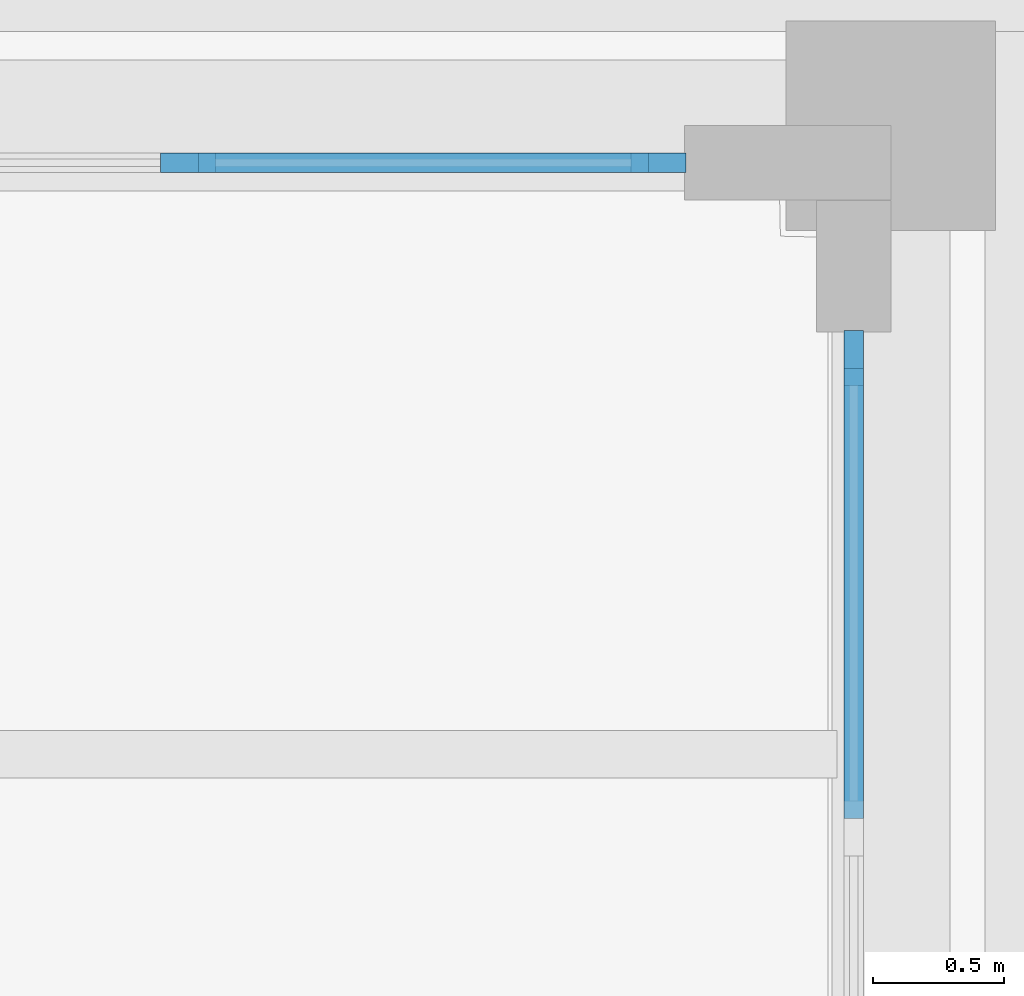
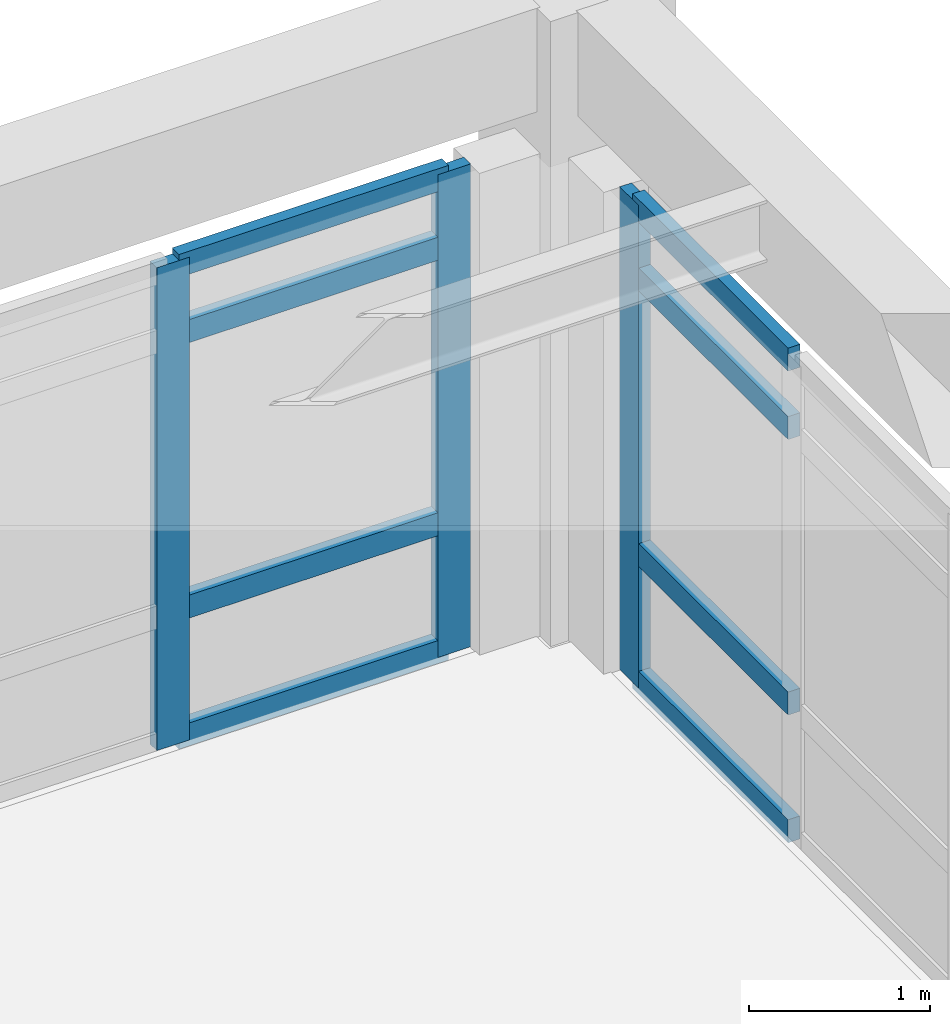
# One storey, part 63 of 98: 11 members, 2 elements without a shape of their own.
"""IFC4 building model written with IfcOpenShell, lengths in metres."""

from ifc_helpers import new_model, si_unit, direction, frame, origin, origin_2d, place, context, subcontext, project, spatial, rectangle, extrude, material, layer, layer_set, material_profile, profile_set, type_object, element, aggregate, save


model = new_model("IFC4")

# Units and contexts
model_context = context("Model", 3, precision=1e-05, world=origin(), true_north=direction((0.0, 1.0)))
body_context = subcontext(model_context, "Body", "Model", "MODEL_VIEW")
ifc_project = project(units=[si_unit("LENGTHUNIT", "METRE"), si_unit("AREAUNIT", "SQUARE_METRE"), si_unit("VOLUMEUNIT", "CUBIC_METRE"), si_unit("PLANEANGLEUNIT", "RADIAN"), si_unit("MASSUNIT", "GRAM", prefix="KILO")], contexts=[model_context])

# Site, building, storey
site_placement = place(None, origin())
site = spatial("IfcSite", under=ifc_project, at=site_placement, CompositionType="ELEMENT")
building_placement = place(site_placement, origin())
building = spatial("IfcBuilding", under=site, at=building_placement, Name="Solenvale Faculty of Natural Sciences", CompositionType="ELEMENT")
storey_placement = place(building_placement, frame((0.0, 0.0, 9.0)))
storey = spatial("IfcBuildingStorey", under=building, at=storey_placement, Name="L02", CompositionType="ELEMENT", Elevation=9.0)

# Curtain wall, member
ifc_material = material(Name="Anodised bronze aluminium", Category="aluminium")
ifc_layer = layer(ifc_material, 0.179931640625)
ifc_layer_set = layer_set([ifc_layer], Name="Anodised bronze aluminium")
curtain_wall_type = type_object("IfcCurtainWallType", Name="CW-TWR-MOD", PredefinedType="USERDEFINED", material=ifc_layer_set)
curtain_wall_1_placement = place(storey_placement, origin())
curtain_wall_1 = element("IfcCurtainWall", 1, at=curtain_wall_1_placement, inside=storey, type_object=curtain_wall_type, Name="L02 Curtain Wall CW-L02-P2-E3-B3", ObjectType="UNITISED CURTAIN WALL", PredefinedType="USERDEFINED")
ifc_material_profile_1 = material_profile(ifc_material, rectangle(XDim=0.074951171875, YDim=0.2099609375, at=origin_2d()), Name="ALU-MUL-75x210")
ifc_profile_set_1 = profile_set([ifc_material_profile_1], Name="Anodised bronze aluminium")
member_type_1 = type_object("IfcMemberType", Name="CWM-ALU-75x210", PredefinedType="MULLION", material=ifc_profile_set_1)
member_1_placement = place(storey_placement, frame((151.0576171875, 114.3125, 0.0), z_axis=(0.0, 0.0, 1.0), x_axis=(-1.0, 0.0, 0.0)))
member_1 = element("IfcMember", 2, at=member_1_placement, type_object=member_type_1, Name="CW-04 mullion 4", PredefinedType="MULLION", context=body_context, shape_type="SweptSolid", body=[
    extrude(rectangle(XDim=0.074951171875, YDim=0.2099609375, at=origin_2d()), origin(), (0.0, 0.0, 1.0), 3.260009765625),
])

# Curtain wall, members
curtain_wall_2_placement = place(storey_placement, origin())
curtain_wall_2 = element("IfcCurtainWall", 3, at=curtain_wall_2_placement, inside=storey, type_object=curtain_wall_type, Name="L02 Curtain Wall CW-L02-P2-E4-B1", ObjectType="UNITISED CURTAIN WALL", PredefinedType="USERDEFINED")
member_2_placement = place(storey_placement, frame((150.3125, 115.0576171875, 0.0), z_axis=(0.0, 0.0, 1.0), x_axis=(0.0, -1.0, 0.0)))
member_2 = element("IfcMember", 4, at=member_2_placement, type_object=member_type_1, Name="CW-04 mullion 1", PredefinedType="MULLION", context=body_context, shape_type="SweptSolid", body=[
    extrude(rectangle(XDim=0.074951171875, YDim=0.2099609375, at=origin_2d()), origin(), (0.0, 0.0, 1.0), 3.260009765625),
])
member_3_placement = place(storey_placement, frame((148.5166015625, 115.0576171875, 0.0), z_axis=(0.0, 0.0, 1.0), x_axis=(0.0, -1.0, 0.0)))
member_3 = element("IfcMember", 5, at=member_3_placement, type_object=member_type_1, Name="CW-04 mullion 2", PredefinedType="MULLION", context=body_context, shape_type="SweptSolid", body=[
    extrude(rectangle(XDim=0.074951171875, YDim=0.2099609375, at=origin_2d()), origin(), (0.0, 0.0, 1.0), 3.260009765625),
])

# Member
ifc_material_profile_2 = material_profile(ifc_material, rectangle(XDim=0.074951171875, YDim=0.155029296875, at=origin_2d()), Name="ALU-TRN-75x155")
ifc_profile_set_2 = profile_set([ifc_material_profile_2], Name="Anodised bronze aluminium")
member_type_2 = type_object("IfcMemberType", Name="CWT-ALU-75x155", PredefinedType="USERDEFINED", material=ifc_profile_set_2)
member_4_placement = place(storey_placement, frame((151.0576171875, 112.55419921875, 0.03759765625), z_axis=(0.0, 1.0, 0.0), x_axis=(-1.0, 0.0, 0.0)))
member_4 = element("IfcMember", 6, at=member_4_placement, type_object=member_type_2, Name="CW-04 transom 3.1", ObjectType="TRANSOM", PredefinedType="USERDEFINED", context=body_context, shape_type="SweptSolid", body=[
    extrude(rectangle(XDim=0.074951171875, YDim=0.155029296875, at=origin_2d()), origin(), (0.0, 0.0, 1.0), 1.720703125),
])

member_5_placement = place(storey_placement, frame((151.0576171875, 112.55419921875, 0.89990234375), z_axis=(0.0, 1.0, 0.0), x_axis=(-1.0, 0.0, 0.0)))
member_5 = element("IfcMember", 7, at=member_5_placement, type_object=member_type_2, Name="CW-04 transom 3.2", ObjectType="TRANSOM", PredefinedType="USERDEFINED", context=body_context, shape_type="SweptSolid", body=[
    extrude(rectangle(XDim=0.074951171875, YDim=0.155029296875, at=origin_2d()), origin(), (0.0, 0.0, 1.0), 1.720703125),
])

member_6_placement = place(storey_placement, frame((151.0576171875, 112.55419921875, 2.760009765625), z_axis=(0.0, 1.0, 0.0), x_axis=(-1.0, 0.0, 0.0)))
member_6 = element("IfcMember", 8, at=member_6_placement, type_object=member_type_2, Name="CW-04 transom 3.3", ObjectType="TRANSOM", PredefinedType="USERDEFINED", context=body_context, shape_type="SweptSolid", body=[
    extrude(rectangle(XDim=0.074951171875, YDim=0.155029296875, at=origin_2d()), origin(), (0.0, 0.0, 1.0), 1.720703125),
])

member_7_placement = place(storey_placement, frame((151.0576171875, 112.55419921875, 3.222412109375), z_axis=(0.0, 1.0, 0.0), x_axis=(-1.0, 0.0, 0.0)))
member_7 = element("IfcMember", 9, at=member_7_placement, type_object=member_type_2, Name="CW-04 transom 3.4", ObjectType="TRANSOM", PredefinedType="USERDEFINED", context=body_context, shape_type="SweptSolid", body=[
    extrude(rectangle(XDim=0.074951171875, YDim=0.155029296875, at=origin_2d()), origin(), (0.0, 0.0, 1.0), 1.720703125),
])

aggregate(curtain_wall_1, [member_1, member_4, member_5, member_6, member_7])

member_8_placement = place(storey_placement, frame((150.27490234375, 115.0576171875, 0.03759765625), z_axis=(-1.0, 0.0, 0.0), x_axis=(0.0, -1.0, 0.0)))
member_8 = element("IfcMember", 10, at=member_8_placement, type_object=member_type_2, Name="CW-04 transom 1.1", ObjectType="TRANSOM", PredefinedType="USERDEFINED", context=body_context, shape_type="SweptSolid", body=[
    extrude(rectangle(XDim=0.074951171875, YDim=0.155029296875, at=origin_2d()), origin(), (0.0, 0.0, 1.0), 1.720703125),
])

member_9_placement = place(storey_placement, frame((150.27490234375, 115.0576171875, 0.89990234375), z_axis=(-1.0, 0.0, 0.0), x_axis=(0.0, -1.0, 0.0)))
member_9 = element("IfcMember", 11, at=member_9_placement, type_object=member_type_2, Name="CW-04 transom 1.2", ObjectType="TRANSOM", PredefinedType="USERDEFINED", context=body_context, shape_type="SweptSolid", body=[
    extrude(rectangle(XDim=0.074951171875, YDim=0.155029296875, at=origin_2d()), origin(), (0.0, 0.0, 1.0), 1.720703125),
])

member_10_placement = place(storey_placement, frame((150.27490234375, 115.0576171875, 2.760009765625), z_axis=(-1.0, 0.0, 0.0), x_axis=(0.0, -1.0, 0.0)))
member_10 = element("IfcMember", 12, at=member_10_placement, type_object=member_type_2, Name="CW-04 transom 1.3", ObjectType="TRANSOM", PredefinedType="USERDEFINED", context=body_context, shape_type="SweptSolid", body=[
    extrude(rectangle(XDim=0.074951171875, YDim=0.155029296875, at=origin_2d()), origin(), (0.0, 0.0, 1.0), 1.720703125),
])

member_11_placement = place(storey_placement, frame((150.27490234375, 115.0576171875, 3.222412109375), z_axis=(-1.0, 0.0, 0.0), x_axis=(0.0, -1.0, 0.0)))
member_11 = element("IfcMember", 13, at=member_11_placement, type_object=member_type_2, Name="CW-04 transom 1.4", ObjectType="TRANSOM", PredefinedType="USERDEFINED", context=body_context, shape_type="SweptSolid", body=[
    extrude(rectangle(XDim=0.074951171875, YDim=0.155029296875, at=origin_2d()), origin(), (0.0, 0.0, 1.0), 1.720703125),
])

aggregate(curtain_wall_2, [member_2, member_3, member_8, member_9, member_10, member_11])

save(model, "model.ifc")
